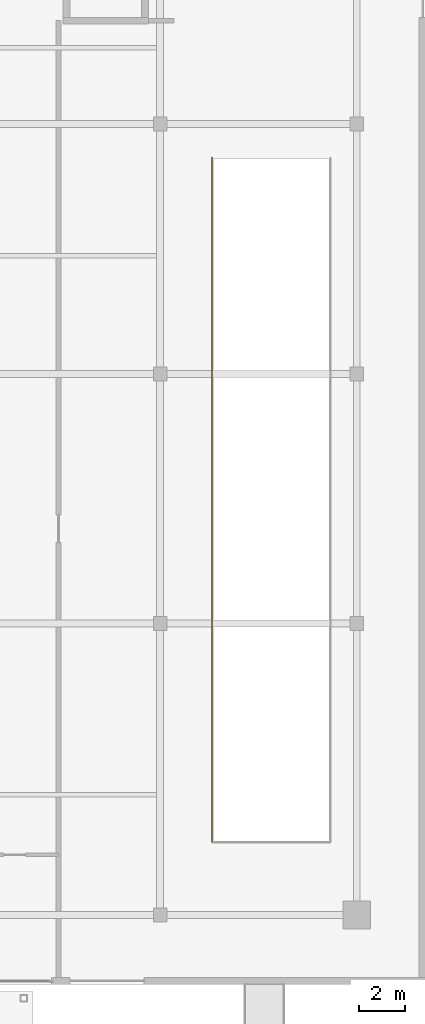
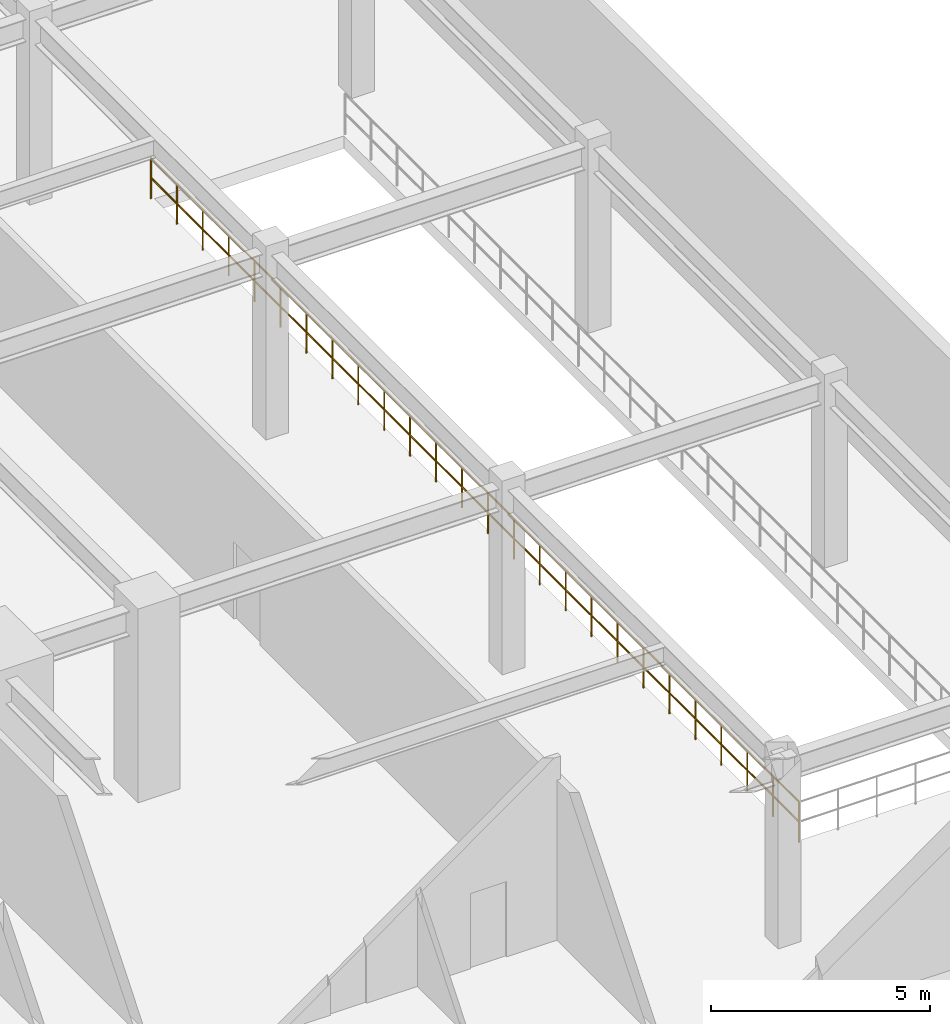
# One storey, part 24 of 28: 1 railing.
"""IFC4 building model written with IfcOpenShell, lengths in metres."""

from ifc_helpers import new_model, si_unit, direction, frame, origin, origin_2d, place, context, subcontext, project, spatial, circle, extrude, material, layer, layer_set, type_object, element, save


model = new_model("IFC4")

# Units and contexts
model_context = context("Model", 3, precision=1e-05, world=origin(), true_north=direction((0.0, 1.0)))
body_context = subcontext(model_context, "Body", "Model", "MODEL_VIEW")
ifc_project = project(units=[si_unit("LENGTHUNIT", "METRE"), si_unit("AREAUNIT", "SQUARE_METRE"), si_unit("VOLUMEUNIT", "CUBIC_METRE"), si_unit("PLANEANGLEUNIT", "RADIAN"), si_unit("MASSUNIT", "GRAM", prefix="KILO")], contexts=[model_context])

# Site, building, storey
site_placement = place(None, origin())
site = spatial("IfcSite", under=ifc_project, at=site_placement, CompositionType="ELEMENT")
building_placement = place(site_placement, origin())
building = spatial("IfcBuilding", under=site, at=building_placement, Name="Krantzveldt Concourse Tower", CompositionType="ELEMENT")
storey_placement = place(building_placement, origin())
storey = spatial("IfcBuildingStorey", under=building, at=storey_placement, Name="L00", CompositionType="ELEMENT", Elevation=0.0)

# Railing
ifc_material = material(Name="Stainless steel 316L", Category="steel")
ifc_layer = layer(ifc_material, 0.06005859375, Name="Stainless steel 316L", Category="steel")
ifc_layer_set = layer_set([ifc_layer], Name="Stainless steel 316L (RL-GUARD-1120)")
railing_type = type_object("IfcRailingType", Name="RL-GUARD-1120", PredefinedType="GUARDRAIL", material=ifc_layer_set)
railing_placement = place(storey_placement, frame((62.739990234375, 36.050048828125, 0.0)))
element("IfcRailing", 1, at=railing_placement, inside=storey, type_object=railing_type, Name="GD-L00-VRMP-1", PredefinedType="GUARDRAIL", context=body_context, shape_type="SweptSolid", body=[
    extrude(circle(Radius=0.02392578125, at=origin_2d()), frame((0.0, 0.0, 1.1259765625), z_axis=(0.0, -1.0, 0.0), x_axis=(1.0, 0.0, 0.0)), (0.0, 0.0, 1.0), 29.610107421875),
    extrude(circle(Radius=0.02392578125, at=origin_2d()), frame((0.0, 0.0, 0.574951171875), z_axis=(0.0, -1.0, 0.0), x_axis=(1.0, 0.0, 0.0)), (0.0, 0.0, 1.0), 29.610107421875),
    extrude(circle(Radius=0.02099609375, at=origin_2d()), origin(), (0.0, 0.0, 1.0), 1.101806640625),
    extrude(circle(Radius=0.02099609375, at=origin_2d()), frame((0.0, -1.184326171875, 0.0)), (0.0, 0.0, 1.0), 1.101806640625),
    extrude(circle(Radius=0.02099609375, at=origin_2d()), frame((0.0, -2.368896484375, 0.0)), (0.0, 0.0, 1.0), 1.101806640625),
    extrude(circle(Radius=0.02099609375, at=origin_2d()), frame((0.0, -3.55322265625, 0.0)), (0.0, 0.0, 1.0), 1.101806640625),
    extrude(circle(Radius=0.02099609375, at=origin_2d()), frame((0.0, -4.737548828125, 0.0)), (0.0, 0.0, 1.0), 1.101806640625),
    extrude(circle(Radius=0.02099609375, at=origin_2d()), frame((0.0, -5.922119140625, 0.0)), (0.0, 0.0, 1.0), 1.101806640625),
    extrude(circle(Radius=0.02099609375, at=origin_2d()), frame((0.0, -7.1064453125, 0.0)), (0.0, 0.0, 1.0), 1.101806640625),
    extrude(circle(Radius=0.02099609375, at=origin_2d()), frame((0.0, -8.290771484375, 0.0)), (0.0, 0.0, 1.0), 1.101806640625),
    extrude(circle(Radius=0.02099609375, at=origin_2d()), frame((0.0, -9.475341796875, 0.0)), (0.0, 0.0, 1.0), 1.101806640625),
    extrude(circle(Radius=0.02099609375, at=origin_2d()), frame((0.0, -10.65966796875, 0.0)), (0.0, 0.0, 1.0), 1.101806640625),
    extrude(circle(Radius=0.02099609375, at=origin_2d()), frame((0.0, -11.843994140625, 0.0)), (0.0, 0.0, 1.0), 1.101806640625),
    extrude(circle(Radius=0.02099609375, at=origin_2d()), frame((0.0, -13.028564453125, 0.0)), (0.0, 0.0, 1.0), 1.101806640625),
    extrude(circle(Radius=0.02099609375, at=origin_2d()), frame((0.0, -14.212890625, 0.0)), (0.0, 0.0, 1.0), 1.101806640625),
    extrude(circle(Radius=0.02099609375, at=origin_2d()), frame((0.0, -15.397216796875, 0.0)), (0.0, 0.0, 1.0), 1.101806640625),
    extrude(circle(Radius=0.02099609375, at=origin_2d()), frame((0.0, -16.58154296875, 0.0)), (0.0, 0.0, 1.0), 1.101806640625),
    extrude(circle(Radius=0.02099609375, at=origin_2d()), frame((0.0, -17.76611328125, 0.0)), (0.0, 0.0, 1.0), 1.101806640625),
    extrude(circle(Radius=0.02099609375, at=origin_2d()), frame((0.0, -18.950439453125, 0.0)), (0.0, 0.0, 1.0), 1.101806640625),
    extrude(circle(Radius=0.02099609375, at=origin_2d()), frame((0.0, -20.134765625, 0.0)), (0.0, 0.0, 1.0), 1.101806640625),
    extrude(circle(Radius=0.02099609375, at=origin_2d()), frame((0.0, -21.3193359375, 0.0)), (0.0, 0.0, 1.0), 1.101806640625),
    extrude(circle(Radius=0.02099609375, at=origin_2d()), frame((0.0, -22.503662109375, 0.0)), (0.0, 0.0, 1.0), 1.101806640625),
    extrude(circle(Radius=0.02099609375, at=origin_2d()), frame((0.0, -23.68798828125, 0.0)), (0.0, 0.0, 1.0), 1.101806640625),
    extrude(circle(Radius=0.02099609375, at=origin_2d()), frame((0.0, -24.87255859375, 0.0)), (0.0, 0.0, 1.0), 1.101806640625),
    extrude(circle(Radius=0.02099609375, at=origin_2d()), frame((0.0, -26.056884765625, 0.0)), (0.0, 0.0, 1.0), 1.101806640625),
    extrude(circle(Radius=0.02099609375, at=origin_2d()), frame((0.0, -27.2412109375, 0.0)), (0.0, 0.0, 1.0), 1.101806640625),
    extrude(circle(Radius=0.02099609375, at=origin_2d()), frame((0.0, -28.42578125, 0.0)), (0.0, 0.0, 1.0), 1.101806640625),
    extrude(circle(Radius=0.02099609375, at=origin_2d()), frame((0.0, -29.610107421875, 0.0)), (0.0, 0.0, 1.0), 1.101806640625),
])

save(model, "model.ifc")
